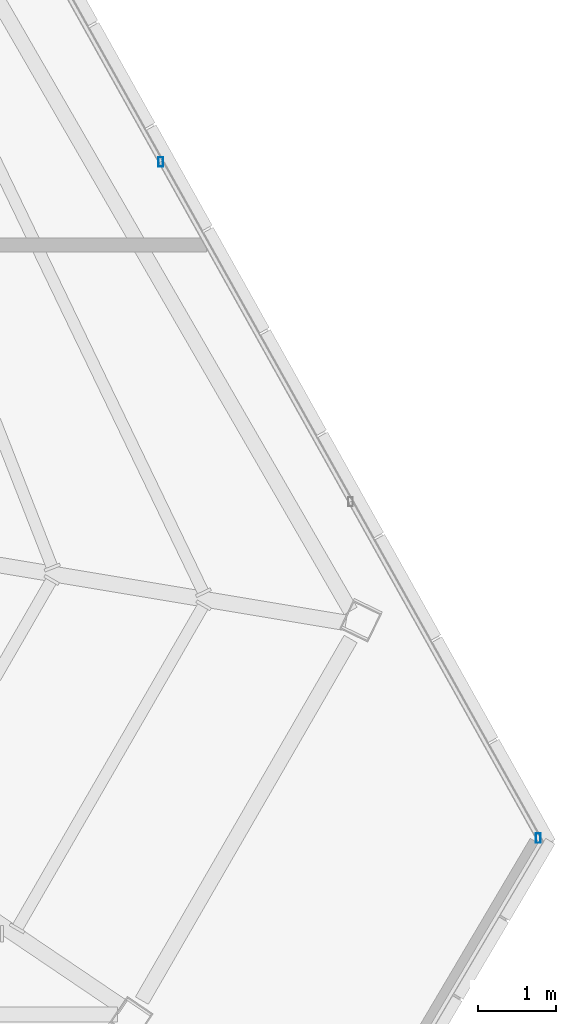
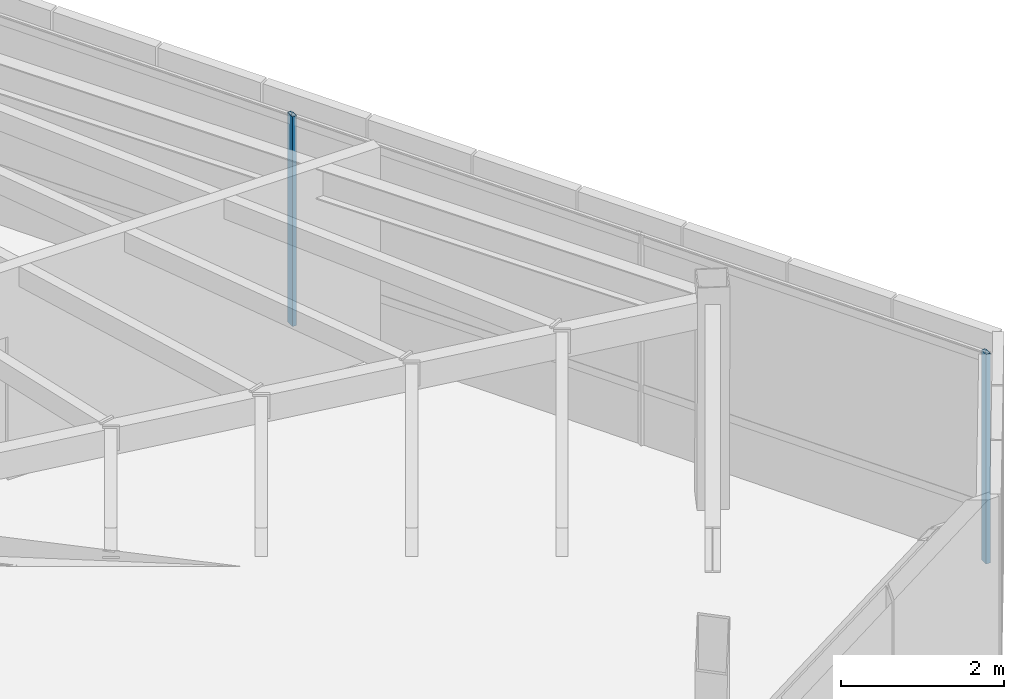
# One storey, part 27 of 47: 2 members, 1 element without a shape of its own.
"""IFC4 building model written with IfcOpenShell, lengths in metres."""

from ifc_helpers import new_model, si_unit, direction, frame, origin, origin_2d, place, context, subcontext, project, spatial, hollow_rectangle, extrude, source, transform, mapped, material, material_profile, profile_set, type_object, type_shapes, element, aggregate, save


model = new_model("IFC4")

# Units and contexts
model_context = context("Model", 3, precision=1e-05, world=origin(), true_north=direction((0.0, 1.0)))
body_context = subcontext(model_context, "Body", "Model", "MODEL_VIEW")
ifc_project = project(units=[si_unit("LENGTHUNIT", "METRE"), si_unit("AREAUNIT", "SQUARE_METRE"), si_unit("VOLUMEUNIT", "CUBIC_METRE"), si_unit("PLANEANGLEUNIT", "RADIAN"), si_unit("MASSUNIT", "GRAM", prefix="KILO")], contexts=[model_context])

# Site, building, storey
site_placement = place(None, origin())
site = spatial("IfcSite", under=ifc_project, at=site_placement, CompositionType="ELEMENT")
building_placement = place(site_placement, origin())
building = spatial("IfcBuilding", under=site, at=building_placement, Name="Caelisora Broadcast Tower", CompositionType="ELEMENT")
storey_placement = place(building_placement, frame((0.0, 0.0, 293.199951171875)))
storey = spatial("IfcBuildingStorey", under=building, at=storey_placement, Name="L77", CompositionType="ELEMENT", Elevation=293.199951171875)

# Curtain wall, members
ifc_material_1 = material(Name="Unitised Aluminium Insulated Shadow-Box Spandrel Curtain Wall", Category="aluminium")
curtain_wall_type = type_object("IfcCurtainWallType", Name="CW-SP3", PredefinedType="NOTDEFINED", material=ifc_material_1)
curtain_wall_placement = place(storey_placement, origin())
curtain_wall = element("IfcCurtainWall", 1, at=curtain_wall_placement, inside=storey, type_object=curtain_wall_type, Name="L77 curtain wall CW-SP3", PredefinedType="NOTDEFINED")
ifc_material_2 = material(Name="Aluminium 6063-T6 Anodised Terracotta Bronze", Category="aluminium")
ifc_material_profile = material_profile(ifc_material_2, hollow_rectangle(XDim=0.06005859375, YDim=0.1201171875, WallThickness=0.0029296875, at=origin_2d()), Name="Aluminium 6063-T6 Anodised Terracotta Bronze")
ifc_profile_set = profile_set([ifc_material_profile], Name="Aluminium 6063-T6 Anodised Terracotta Bronze")
member_type = type_object("IfcMemberType", Name="CWM-04", PredefinedType="MULLION", material=ifc_profile_set)
shared_shape = source(origin(), body_context, "Body", "SweptSolid", [
    extrude(hollow_rectangle(XDim=0.06005859375, YDim=0.1201171875, WallThickness=0.0029296875, at=origin_2d()), origin(), (0.0, 0.0, 1.0), 3.150146484375),
])
type_shapes(member_type, [shared_shape])
member_1_placement = place(storey_placement, frame((56.6005859375, 21.06787109375, 0.0), z_axis=(0.0, 0.0, 1.0), x_axis=(1.0, 0.0, 0.0)))
member_1 = element("IfcMember", 2, at=member_1_placement, type_object=member_type, Name="L77-CW-B03 mullion #1", PredefinedType="MULLION", context=body_context, shape_type="MappedRepresentation", body=[
    mapped(shared_shape, transform((0.0, 0.0, 0.0), scale=1.0)),
])
member_2_placement = place(storey_placement, frame((61.443603515625, 12.3916015625, 0.0), z_axis=(0.0, 0.0, 1.0), x_axis=(1.0, 0.0, 0.0)))
member_2 = element("IfcMember", 3, at=member_2_placement, type_object=member_type, Name="L77-CW-B03 mullion #3", PredefinedType="MULLION", context=body_context, shape_type="MappedRepresentation", body=[
    mapped(shared_shape, transform((0.0, 0.0, 0.0), scale=1.0)),
])
aggregate(curtain_wall, [member_1, member_2])

save(model, "model.ifc")
